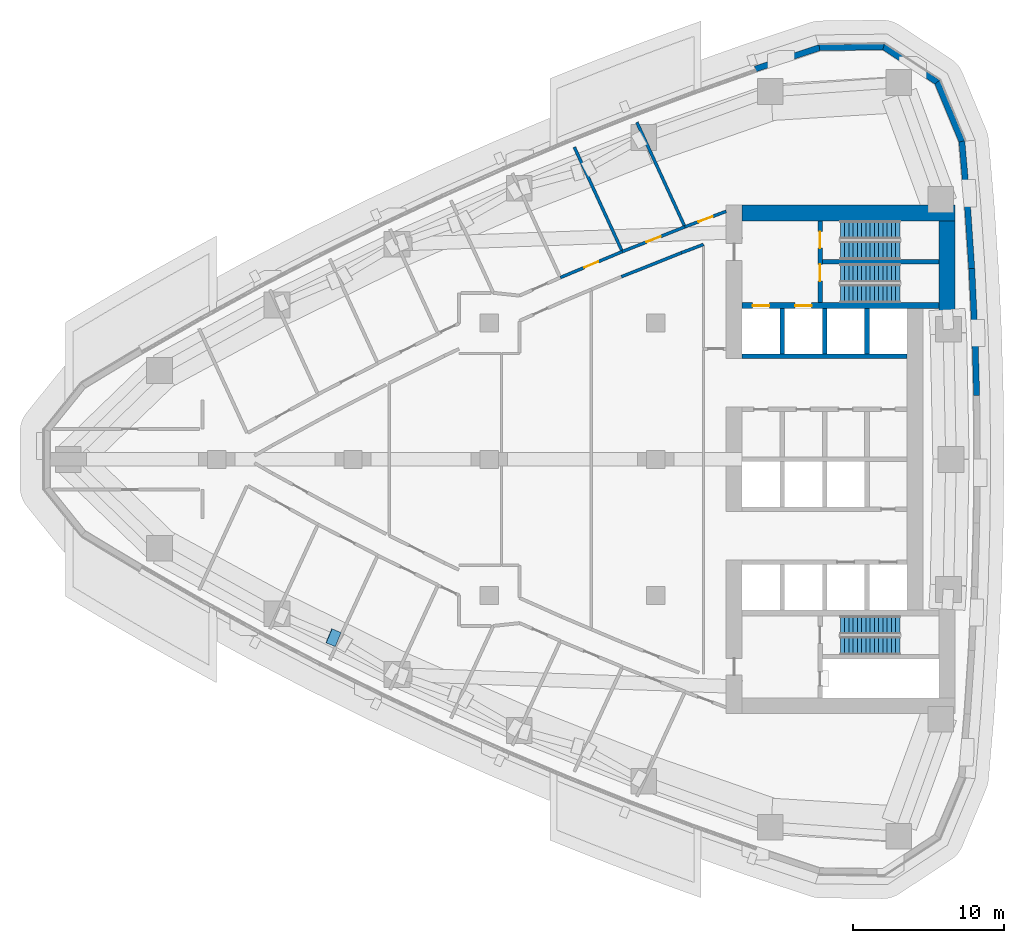
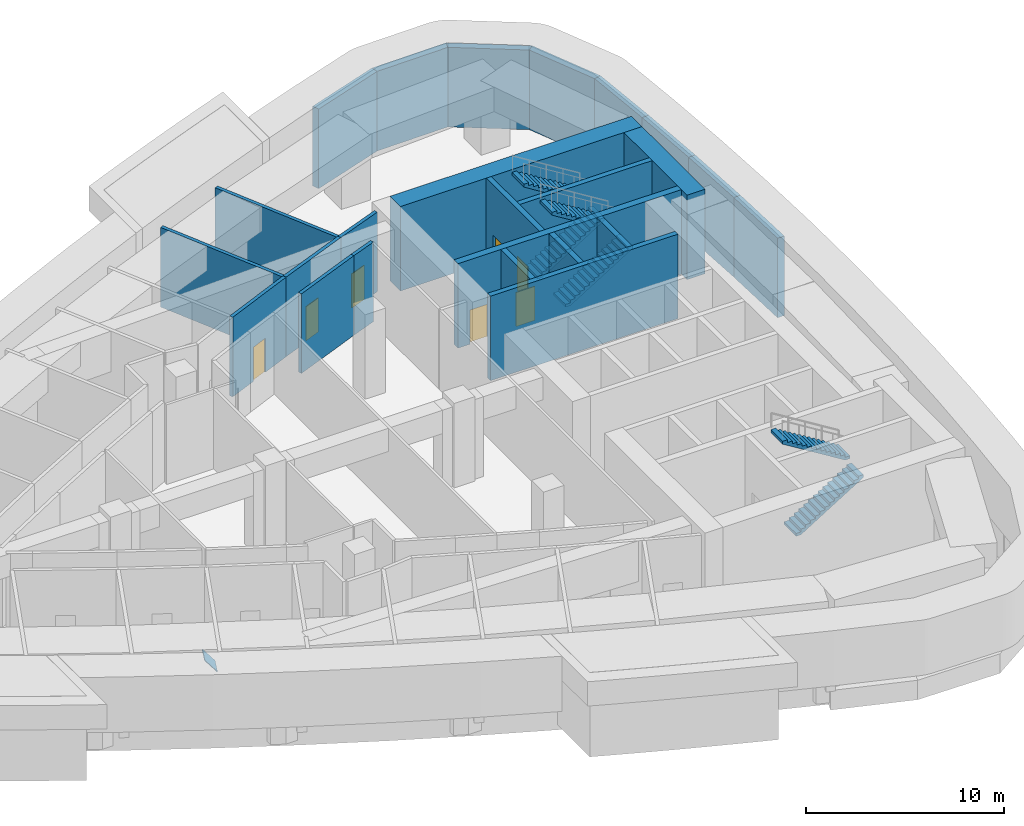
# One storey, part 13 of 19: 24 walls, 7 doors, 6 stair flights, 1 discrete accessory, 7 openings, 3 elements without a shape of their own.
"""IFC4 building model written with IfcOpenShell, lengths in metres."""

from ifc_helpers import new_model, si_unit, direction, frame, frame_2d, origin, origin_2d, place, context, subcontext, project, spatial, polyline, rectangle, outline, extrude, material, layer, layer_set, material_profile, profile_set, type_object, element, fill, aggregate, save


model = new_model("IFC4")

# Units and contexts
model_context = context("Model", 3, precision=1e-05, world=origin(), true_north=direction((0.0, 1.0)))
body_context = subcontext(model_context, "Body", "Model", "MODEL_VIEW")
ifc_project = project(units=[si_unit("LENGTHUNIT", "METRE"), si_unit("AREAUNIT", "SQUARE_METRE"), si_unit("VOLUMEUNIT", "CUBIC_METRE"), si_unit("PLANEANGLEUNIT", "RADIAN"), si_unit("MASSUNIT", "GRAM", prefix="KILO")], contexts=[model_context])

# Site, building, storey
site_placement = place(None, origin())
site = spatial("IfcSite", under=ifc_project, at=site_placement, CompositionType="ELEMENT")
building_placement = place(site_placement, origin())
building = spatial("IfcBuilding", under=site, at=building_placement, Name="Ostrand Prow Hotel Tower", CompositionType="ELEMENT")
storey_placement = place(building_placement, frame((0.0, 0.0, 120.39990234375)))
storey = spatial("IfcBuildingStorey", under=building, at=storey_placement, Name="L29", CompositionType="ELEMENT", Elevation=120.39990234375)

# Walls
ifc_material_1 = material(Name="Concrete C80/95", Category="concrete")
ifc_layer_1 = layer(ifc_material_1, 1.050048828125)
ifc_layer_set_1 = layer_set([ifc_layer_1], Name="Concrete C80/95")
wall_type_1 = type_object("IfcWallType", Name="Core wall 1050 C80/95", PredefinedType="SHEAR", material=ifc_layer_set_1)
wall_1_placement = place(storey_placement, frame((50.699951171875, 16.27490234375, 0.0), z_axis=(0.0, 0.0, 1.0), x_axis=(1.0, 0.0, 0.0)))
element("IfcWall", 1, at=wall_1_placement, inside=storey, type_object=wall_type_1, Name="Core wall CW-N", PredefinedType="SHEAR", context=body_context, shape_type="SweptSolid", body=[
    extrude(rectangle(XDim=14.070068359375, YDim=1.050048828125, at=frame_2d((7.03515625, 0.0))), origin(), (0.0, 0.0, 1.0), 5.2001953125),
])
wall_2_placement = place(storey_placement, frame((64.2451171875, 9.388671875, 0.0), z_axis=(0.0, 0.0, 1.0), x_axis=(0.0, 1.0, 0.0)))
element("IfcWall", 2, at=wall_2_placement, inside=storey, type_object=wall_type_1, Name="Core wall CW-E-N", PredefinedType="SHEAR", context=body_context, shape_type="SweptSolid", body=[
    extrude(rectangle(XDim=6.361328125, YDim=1.050048828125, at=frame_2d((3.1806640625, 0.0))), origin(), (0.0, 0.0, 1.0), 5.2001953125),
])
ifc_material_2 = material(Name="Concrete C80/95", Category="concrete")
ifc_layer_2 = layer(ifc_material_2, 0.300048828125)
ifc_layer_set_2 = layer_set([ifc_layer_2], Name="Concrete C80/95")
wall_type_2 = type_object("IfcWallType", Name="Core wall 300 C80/95", PredefinedType="SHEAR", material=ifc_layer_set_2)
wall_3_placement = place(storey_placement, frame((50.699951171875, 6.800048828125, 0.0), z_axis=(0.0, 0.0, 1.0), x_axis=(1.0, 0.0, 0.0)))
element("IfcWall", 3, at=wall_3_placement, inside=storey, type_object=wall_type_2, Name="Core wall PW-L2-N", PredefinedType="SHEAR", context=body_context, shape_type="SweptSolid", body=[
    extrude(rectangle(XDim=10.900146484375, YDim=0.300048828125, at=frame_2d((5.4501953125, 0.0))), origin(), (0.0, 0.0, 1.0), 5.2001953125),
])
for number, where, z_axis, x_axis, name in (
    (4, (53.35009765625, 6.949951171875, 0.0), (0.0, 0.0, 1.0), (0.0, 1.0, 0.0), "Core wall PW-R1-NA"),
    (5, (56.14990234375, 6.949951171875, 0.0), (0.0, 0.0, 1.0), (0.0, 1.0, 0.0), "Core wall PW-R2-NA"),
    (6, (58.949951171875, 6.949951171875, 0.0), (0.0, 0.0, 1.0), (0.0, 1.0, 0.0), "Core wall PW-R3-NA"),
):
    element("IfcWall", number, at=place(storey_placement, frame(where, z_axis=z_axis, x_axis=x_axis)), inside=storey, type_object=wall_type_2, Name=name, PredefinedType="SHEAR", context=body_context, shape_type="SweptSolid", body=[
        extrude(rectangle(XDim=3.0, YDim=0.300048828125, at=frame_2d((1.5, 0.0))), origin(), (0.0, 0.0, 1.0), 5.2001953125),
    ])

# Wall, openings, doors
wall_4_placement = place(storey_placement, frame((55.85009765625, 10.35009765625, 0.0), z_axis=(0.0, 0.0, 1.0), x_axis=(0.0, 1.0, 0.0)))
wall_4 = element("IfcWall", 7, at=wall_4_placement, inside=storey, type_object=wall_type_2, Name="Core wall PW-VN", PredefinedType="SHEAR", context=body_context, shape_type="SweptSolid", body=[
    extrude(rectangle(XDim=5.39990234375, YDim=0.300048828125, at=frame_2d((2.699951171875, 0.0))), origin(), (0.0, 0.0, 1.0), 5.2001953125),
])
opening_1_placement = place(wall_4_placement, frame((1.429931640625, 0.0, 0.0)))
opening_1 = element("IfcOpeningElement", 8, at=opening_1_placement, cuts=wall_4, Name="Opening FD1", PredefinedType="OPENING", context=body_context, shape_type="SweptSolid", body=[
    extrude(rectangle(XDim=1.10009765625, YDim=2.10009765625, at=frame_2d((0.550048828125, 1.050048828125))), frame((0.0, 0.159912109375, 0.0), z_axis=(0.0, -1.0, 0.0), x_axis=(1.0, 0.0, 0.0)), (0.0, 0.0, 1.0), 0.320068359375),
])
opening_2_placement = place(wall_4_placement, frame((3.60009765625, 0.0, 0.0)))
opening_2 = element("IfcOpeningElement", 9, at=opening_2_placement, cuts=wall_4, Name="Opening FD1", PredefinedType="OPENING", context=body_context, shape_type="SweptSolid", body=[
    extrude(rectangle(XDim=1.10009765625, YDim=2.10009765625, at=frame_2d((0.550048828125, 1.050048828125))), frame((0.0, 0.159912109375, 0.0), z_axis=(0.0, -1.0, 0.0), x_axis=(1.0, 0.0, 0.0)), (0.0, 0.0, 1.0), 0.320068359375),
])
ifc_material_3 = material(Name="Steel fire door", Category="steel")
door_type_1 = type_object("IfcDoorType", Name="Fire door 1100 EI120", OperationType="SINGLE_SWING_RIGHT", PredefinedType="DOOR", material=ifc_material_3)
door_1_placement = place(opening_1_placement, origin())
door_1 = element("IfcDoor", 10, at=door_1_placement, inside=storey, type_object=door_type_1, Name="FIRE DOOR", OperationType="SINGLE_SWING_RIGHT", OverallHeight=2.10009765625, OverallWidth=1.10009765625, PredefinedType="DOOR", context=body_context, shape_type="SweptSolid", body=[
    extrude(rectangle(XDim=1.10009765625, YDim=2.10009765625, at=frame_2d((0.550048828125, 1.050048828125))), frame((0.0, 0.02490234375, 0.0), z_axis=(0.0, -1.0, 0.0), x_axis=(1.0, 0.0, 0.0)), (0.0, 0.0, 1.0), 0.050048828125),
])
fill(opening_1, door_1)
door_2_placement = place(opening_2_placement, origin())
door_2 = element("IfcDoor", 11, at=door_2_placement, inside=storey, type_object=door_type_1, Name="FIRE DOOR", OperationType="SINGLE_SWING_RIGHT", OverallHeight=2.10009765625, OverallWidth=1.10009765625, PredefinedType="DOOR", context=body_context, shape_type="SweptSolid", body=[
    extrude(rectangle(XDim=1.10009765625, YDim=2.10009765625, at=frame_2d((0.550048828125, 1.050048828125))), frame((0.0, 0.02490234375, 0.0), z_axis=(0.0, -1.0, 0.0), x_axis=(1.0, 0.0, 0.0)), (0.0, 0.0, 1.0), 0.050048828125),
])
fill(opening_2, door_2)

# Wall
wall_5_placement = place(storey_placement, frame((56.0, 13.050048828125, 0.0), z_axis=(0.0, 0.0, 1.0), x_axis=(1.0, 0.0, 0.0)))
element("IfcWall", 12, at=wall_5_placement, inside=storey, type_object=wall_type_2, Name="Core wall PW-ST13", PredefinedType="SHEAR", context=body_context, shape_type="SweptSolid", body=[
    extrude(rectangle(XDim=7.719970703125, YDim=0.300048828125, at=frame_2d((3.85986328125, 0.0))), origin(), (0.0, 0.0, 1.0), 5.2001953125),
])

# Wall, openings, doors
ifc_material_4 = material(Name="Concrete C80/95", Category="concrete")
ifc_layer_3 = layer(ifc_material_4, 0.39990234375)
ifc_layer_set_3 = layer_set([ifc_layer_3], Name="Concrete C80/95")
wall_type_3 = type_object("IfcWallType", Name="Core wall 400 C80/95", PredefinedType="SHEAR", material=ifc_layer_set_3)
wall_6_placement = place(storey_placement, frame((50.699951171875, 10.14990234375, 0.0), z_axis=(0.0, 0.0, 1.0), x_axis=(1.0, 0.0, 0.0)))
wall_6 = element("IfcWall", 13, at=wall_6_placement, inside=storey, type_object=wall_type_3, Name="Core wall PW-BN", PredefinedType="SHEAR", context=body_context, shape_type="SweptSolid", body=[
    extrude(rectangle(XDim=13.02001953125, YDim=0.39990234375, at=frame_2d((6.510009765625, 0.0))), origin(), (0.0, 0.0, 1.0), 5.2001953125),
])
opening_3_placement = place(wall_6_placement, frame((0.699951171875, 0.0, 0.0)))
opening_3 = element("IfcOpeningElement", 14, at=opening_3_placement, cuts=wall_6, Name="Opening LD", PredefinedType="OPENING", context=body_context, shape_type="SweptSolid", body=[
    extrude(rectangle(XDim=1.10009765625, YDim=2.10009765625, at=frame_2d((0.550048828125, 1.050048828125))), frame((0.0, 0.2099609375, 0.0), z_axis=(0.0, -1.0, 0.0), x_axis=(1.0, 0.0, 0.0)), (0.0, 0.0, 1.0), 0.419921875),
])
opening_4_placement = place(wall_6_placement, frame((3.5, 0.0, 0.0)))
opening_4 = element("IfcOpeningElement", 15, at=opening_4_placement, cuts=wall_6, Name="Opening LD", PredefinedType="OPENING", context=body_context, shape_type="SweptSolid", body=[
    extrude(rectangle(XDim=1.10009765625, YDim=2.10009765625, at=frame_2d((0.550048828125, 1.050048828125))), frame((0.0, 0.2099609375, 0.0), z_axis=(0.0, -1.0, 0.0), x_axis=(1.0, 0.0, 0.0)), (0.0, 0.0, 1.0), 0.419921875),
])
ifc_material_5 = material(Name="Stainless steel door", Category="steel")
door_type_2 = type_object("IfcDoorType", Name="Lift landing door 1100", OperationType="DOUBLE_DOOR_SLIDING", PredefinedType="DOOR", material=ifc_material_5)
door_3_placement = place(opening_3_placement, origin())
door_3 = element("IfcDoor", 16, at=door_3_placement, inside=storey, type_object=door_type_2, Name="LIFT LANDING DOOR", OperationType="DOUBLE_DOOR_SLIDING", OverallHeight=2.10009765625, OverallWidth=1.10009765625, PredefinedType="DOOR", context=body_context, shape_type="SweptSolid", body=[
    extrude(rectangle(XDim=1.10009765625, YDim=2.10009765625, at=frame_2d((0.550048828125, 1.050048828125))), frame((0.0, 0.02490234375, 0.0), z_axis=(0.0, -1.0, 0.0), x_axis=(1.0, 0.0, 0.0)), (0.0, 0.0, 1.0), 0.050048828125),
])
fill(opening_3, door_3)
door_4_placement = place(opening_4_placement, origin())
door_4 = element("IfcDoor", 17, at=door_4_placement, inside=storey, type_object=door_type_2, Name="LIFT LANDING DOOR", OperationType="DOUBLE_DOOR_SLIDING", OverallHeight=2.10009765625, OverallWidth=1.10009765625, PredefinedType="DOOR", context=body_context, shape_type="SweptSolid", body=[
    extrude(rectangle(XDim=1.10009765625, YDim=2.10009765625, at=frame_2d((0.550048828125, 1.050048828125))), frame((0.0, 0.02490234375, 0.0), z_axis=(0.0, -1.0, 0.0), x_axis=(1.0, 0.0, 0.0)), (0.0, 0.0, 1.0), 0.050048828125),
])
fill(opening_4, door_4)

# Wall, opening, door
ifc_material_6 = material(Name="Plasterboard partition")
ifc_layer_4 = layer(ifc_material_6, 0.199951171875)
ifc_layer_set_4 = layer_set([ifc_layer_4], Name="Plasterboard partition")
wall_type_4 = type_object("IfcWallType", Name="Partition 200 corridor wall", PredefinedType="PARTITIONING", material=ifc_layer_set_4)
wall_7_placement = place(storey_placement, frame((42.791015625, 13.7236328125, 0.0), z_axis=(0.0, 0.0, 1.0), x_axis=(-0.922230433067, -0.386640696675, 0.0)))
wall_7 = element("IfcWall", 18, at=wall_7_placement, inside=storey, type_object=wall_type_4, Name="CORRIDOR WALL", PredefinedType="PARTITIONING", context=body_context, shape_type="SweptSolid", body=[
    extrude(rectangle(XDim=4.440185546875, YDim=0.199951171875, at=frame_2d((2.22021484375, 0.0))), origin(), (0.0, 0.0, 1.0), 4.900146484375),
])
opening_5_placement = place(wall_7_placement, frame((1.72021484375, 0.0, 0.0)))
opening_5 = element("IfcOpeningElement", 19, at=opening_5_placement, cuts=wall_7, Name="Opening D1R", PredefinedType="OPENING", context=body_context, shape_type="SweptSolid", body=[
    extrude(rectangle(XDim=1.0, YDim=2.10009765625, at=frame_2d((0.5, 1.050048828125))), frame((0.0, 0.10986328125, 0.0), z_axis=(0.0, -1.0, 0.0), x_axis=(1.0, 0.0, 0.0)), (0.0, 0.0, 1.0), 0.219970703125),
])
ifc_material_7 = material(Name="Timber door leaf", Category="wood")
door_type_3 = type_object("IfcDoorType", Name="Guest room door 1000 right", OperationType="SINGLE_SWING_RIGHT", PredefinedType="DOOR", material=ifc_material_7)
door_5_placement = place(opening_5_placement, origin())
door_5 = element("IfcDoor", 20, at=door_5_placement, inside=storey, type_object=door_type_3, Name="DOOR", OperationType="SINGLE_SWING_RIGHT", OverallHeight=2.10009765625, OverallWidth=1.0, PredefinedType="DOOR", context=body_context, shape_type="SweptSolid", body=[
    extrude(rectangle(XDim=1.0, YDim=2.10009765625, at=frame_2d((0.5, 1.050048828125))), frame((0.0, 0.02490234375, 0.0), z_axis=(0.0, -1.0, 0.0), x_axis=(1.0, 0.0, 0.0)), (0.0, 0.0, 1.0), 0.050048828125),
])
fill(opening_5, door_5)

wall_8_placement = place(storey_placement, frame((46.92431640625, 15.356689453125, 0.0), z_axis=(0.0, 0.0, 1.0), x_axis=(-0.930040633249, -0.367456692014, 0.0)))
wall_8 = element("IfcWall", 21, at=wall_8_placement, inside=storey, type_object=wall_type_4, Name="CORRIDOR WALL", PredefinedType="PARTITIONING", context=body_context, shape_type="SweptSolid", body=[
    extrude(rectangle(XDim=4.4443359375, YDim=0.199951171875, at=frame_2d((2.22216796875, 0.0))), origin(), (0.0, 0.0, 1.0), 4.900146484375),
])
opening_6_placement = place(wall_8_placement, frame((1.72216796875, 0.0, 0.0)))
opening_6 = element("IfcOpeningElement", 22, at=opening_6_placement, cuts=wall_8, Name="Opening D1", PredefinedType="OPENING", context=body_context, shape_type="SweptSolid", body=[
    extrude(rectangle(XDim=1.0, YDim=2.10009765625, at=frame_2d((0.5, 1.050048828125))), frame((0.0, 0.10986328125, 0.0), z_axis=(0.0, -1.0, 0.0), x_axis=(1.0, 0.0, 0.0)), (0.0, 0.0, 1.0), 0.219970703125),
])
ifc_material_8 = material(Name="Timber door leaf", Category="wood")
door_type_4 = type_object("IfcDoorType", Name="Guest room door 1000", OperationType="SINGLE_SWING_LEFT", PredefinedType="DOOR", material=ifc_material_8)
door_6_placement = place(opening_6_placement, origin())
door_6 = element("IfcDoor", 23, at=door_6_placement, inside=storey, type_object=door_type_4, Name="DOOR", OperationType="SINGLE_SWING_LEFT", OverallHeight=2.10009765625, OverallWidth=1.0, PredefinedType="DOOR", context=body_context, shape_type="SweptSolid", body=[
    extrude(rectangle(XDim=1.0, YDim=2.10009765625, at=frame_2d((0.5, 1.050048828125))), frame((0.0, 0.02490234375, 0.0), z_axis=(0.0, -1.0, 0.0), x_axis=(1.0, 0.0, 0.0)), (0.0, 0.0, 1.0), 0.050048828125),
])
fill(opening_6, door_6)

wall_9_placement = place(storey_placement, frame((49.64990234375, 16.3828125, 0.0), z_axis=(0.0, 0.0, 1.0), x_axis=(-0.935873645433, -0.352335805424, 0.0)))
wall_9 = element("IfcWall", 24, at=wall_9_placement, inside=storey, type_object=wall_type_4, Name="CORRIDOR WALL", PredefinedType="PARTITIONING", context=body_context, shape_type="SweptSolid", body=[
    extrude(rectangle(XDim=2.912353515625, YDim=0.199951171875, at=frame_2d((1.4560546875, 0.0))), origin(), (0.0, 0.0, 1.0), 4.900146484375),
])
opening_7_placement = place(wall_9_placement, frame((0.956298828125, 0.0, 0.0)))
opening_7 = element("IfcOpeningElement", 25, at=opening_7_placement, cuts=wall_9, Name="Opening D1R", PredefinedType="OPENING", context=body_context, shape_type="SweptSolid", body=[
    extrude(rectangle(XDim=1.0, YDim=2.10009765625, at=frame_2d((0.5, 1.050048828125))), frame((0.0, 0.10986328125, 0.0), z_axis=(0.0, -1.0, 0.0), x_axis=(1.0, 0.0, 0.0)), (0.0, 0.0, 1.0), 0.219970703125),
])
door_7_placement = place(opening_7_placement, origin())
door_7 = element("IfcDoor", 26, at=door_7_placement, inside=storey, type_object=door_type_3, Name="DOOR", OperationType="SINGLE_SWING_RIGHT", OverallHeight=2.10009765625, OverallWidth=1.0, PredefinedType="DOOR", context=body_context, shape_type="SweptSolid", body=[
    extrude(rectangle(XDim=1.0, YDim=2.10009765625, at=frame_2d((0.5, 1.050048828125))), frame((0.0, 0.02490234375, 0.0), z_axis=(0.0, -1.0, 0.0), x_axis=(1.0, 0.0, 0.0)), (0.0, 0.0, 1.0), 0.050048828125),
])
fill(opening_7, door_7)

# Walls
wall_10_placement = place(storey_placement, frame((42.727783203125, 12.0615234375, 0.0), z_axis=(0.0, 0.0, 1.0), x_axis=(0.928638161177, 0.370986745864, 0.0)))
element("IfcWall", 27, at=wall_10_placement, inside=storey, type_object=wall_type_4, Name="CORRIDOR WALL", PredefinedType="PARTITIONING", context=body_context, shape_type="SweptSolid", body=[
    extrude(rectangle(XDim=4.27294921875, YDim=0.199951171875, at=frame_2d((2.136474609375, 0.0))), origin(), (0.0, 0.0, 1.0), 4.900146484375),
])
wall_11_placement = place(storey_placement, frame((46.69580078125, 13.646728515625, 0.0), z_axis=(0.0, 0.0, 1.0), x_axis=(0.935889331534, 0.352294137223, 0.0)))
element("IfcWall", 28, at=wall_11_placement, inside=storey, type_object=wall_type_4, Name="CORRIDOR WALL", PredefinedType="PARTITIONING", context=body_context, shape_type="SweptSolid", body=[
    extrude(rectangle(XDim=1.5537109375, YDim=0.199951171875, at=frame_2d((0.77685546875, 0.0))), origin(), (0.0, 0.0, 1.0), 4.900146484375),
])
ifc_material_9 = material(Name="Plasterboard partition")
ifc_layer_5 = layer(ifc_material_9, 0.199951171875)
ifc_layer_set_5 = layer_set([ifc_layer_5], Name="Plasterboard partition")
wall_type_5 = type_object("IfcWallType", Name="Partition 200 key partition", PredefinedType="PARTITIONING", material=ifc_layer_set_5)
wall_12_placement = place(storey_placement, frame((42.79931640625, 13.705322265625, 0.0), z_axis=(0.0, 0.0, 1.0), x_axis=(-0.417427858403, 0.908710065438, 0.0)))
element("IfcWall", 29, at=wall_12_placement, inside=storey, type_object=wall_type_5, Name="KEY PARTITION", PredefinedType="PARTITIONING", context=body_context, shape_type="SweptSolid", body=[
    extrude(rectangle(XDim=7.609619140625, YDim=0.199951171875, at=frame_2d((3.8046875, 0.0))), origin(), (0.0, 0.0, 1.0), 4.900146484375),
])
wall_13_placement = place(storey_placement, frame((46.9326171875, 15.338623046875, 0.0), z_axis=(0.0, 0.0, 1.0), x_axis=(-0.417437957167, 0.908705426371, 0.0)))
element("IfcWall", 30, at=wall_13_placement, inside=storey, type_object=wall_type_5, Name="KEY PARTITION", PredefinedType="PARTITIONING", context=body_context, shape_type="SweptSolid", body=[
    extrude(rectangle(XDim=7.618896484375, YDim=0.199951171875, at=frame_2d((3.8095703125, 0.0))), origin(), (0.0, 0.0, 1.0), 4.900146484375),
])
ifc_material_10 = material(Name="Precast concrete C40/50", Category="concrete")
ifc_layer_6 = layer(ifc_material_10, 0.39990234375)
ifc_layer_set_6 = layer_set([ifc_layer_6], Name="Precast concrete C40/50")
wall_type_6 = type_object("IfcWallType", Name="Stone-faced precast wall 400 mm", PredefinedType="NOTDEFINED", material=ifc_layer_set_6)
for number, where, z_axis, x_axis, name in (
    (31, (66.193603515625, 4.20654296875, 0.0), (0.0, 0.0, 1.0), (-0.02901703777, 0.999578917104, 0.0), "Stone-faced wall back 11"),
    (32, (66.071533203125, 8.41162109375, 0.0), (0.0, 0.0, 1.0), (-0.048342691508, 0.998830808585, 0.0), "Stone-faced wall back 12"),
):
    element("IfcWall", number, at=place(storey_placement, frame(where, z_axis=z_axis, x_axis=x_axis)), inside=storey, type_object=wall_type_6, Name=name, PredefinedType="NOTDEFINED", context=body_context, shape_type="SweptSolid", body=[
        extrude(outline(polyline([(-0.001953125, -0.199951171875), (4.208740234375, -0.199951171875), (4.204833984375, 0.199951171875), (0.001953125, 0.199951171875), (-0.001953125, -0.199951171875)])), origin(), (0.0, 0.0, 1.0), 4.900146484375),
    ])
wall_14_placement = place(storey_placement, frame((65.8681640625, 12.613525390625, 0.0), z_axis=(0.0, 0.0, 1.0), x_axis=(-0.067724559895, 0.997704056315, 0.0)))
element("IfcWall", 33, at=wall_14_placement, inside=storey, type_object=wall_type_6, Name="Stone-faced wall back 13", PredefinedType="NOTDEFINED", context=body_context, shape_type="SweptSolid", body=[
    extrude(outline(polyline([(-0.001953125, -0.199951171875), (4.208984375, -0.199951171875), (4.205078125, 0.199951171875), (0.001953125, 0.199951171875), (-0.001953125, -0.199951171875)])), origin(), (0.0, 0.0, 1.0), 4.900146484375),
])
wall_15_placement = place(storey_placement, frame((65.583251953125, 16.810791015625, 0.0), z_axis=(0.0, 0.0, 1.0), x_axis=(-0.086992730434, 0.996208946382, 0.0)))
element("IfcWall", 34, at=wall_15_placement, inside=storey, type_object=wall_type_6, Name="Stone-faced wall back 14", PredefinedType="NOTDEFINED", context=body_context, shape_type="SweptSolid", body=[
    extrude(outline(polyline([(-0.001953125, -0.199951171875), (4.23779296875, -0.199951171875), (4.17578125, 0.199951171875), (0.001953125, 0.199951171875), (-0.001953125, -0.199951171875)])), origin(), (0.0, 0.0, 1.0), 4.900146484375),
])
wall_16_placement = place(storey_placement, frame((65.21728515625, 21.001708984375, 0.0), z_axis=(0.0, 0.0, 1.0), x_axis=(-0.383997751971, 0.923334027577, 0.0)))
element("IfcWall", 35, at=wall_16_placement, inside=storey, type_object=wall_type_6, Name="Stone-faced wall back 15", PredefinedType="NOTDEFINED", context=body_context, shape_type="SweptSolid", body=[
    extrude(outline(polyline([(-0.031005859375, -0.199951171875), (4.300048828125, -0.199951171875), (4.177490234375, 0.199951171875), (0.031005859375, 0.199951171875), (-0.031005859375, -0.199951171875)])), origin(), (0.0, 0.0, 1.0), 4.900146484375),
])
wall_17_placement = place(storey_placement, frame((63.589599609375, 24.91552734375, 0.0), z_axis=(0.0, 0.0, 1.0), x_axis=(-0.835340523653, 0.549732852887, 0.0)))
element("IfcWall", 36, at=wall_17_placement, inside=storey, type_object=wall_type_6, Name="Stone-faced wall back 16", PredefinedType="NOTDEFINED", context=body_context, shape_type="SweptSolid", body=[
    extrude(outline(polyline([(-0.061279296875, -0.199951171875), (4.30029296875, -0.199951171875), (4.177734375, 0.199951171875), (0.061279296875, 0.199951171875), (-0.061279296875, -0.199951171875)])), origin(), (0.0, 0.0, 1.0), 4.900146484375),
])
wall_18_placement = place(storey_placement, frame((60.048583984375, 27.245849609375, 0.0), z_axis=(0.0, 0.0, 1.0), x_axis=(-0.999919718849, -0.012671063772, 0.0)))
element("IfcWall", 37, at=wall_18_placement, inside=storey, type_object=wall_type_6, Name="Stone-faced wall back 17", PredefinedType="NOTDEFINED", context=body_context, shape_type="SweptSolid", body=[
    extrude(outline(polyline([(-0.061279296875, -0.199951171875), (4.269775390625, -0.199951171875), (4.207763671875, 0.199951171875), (0.061279296875, 0.199951171875), (-0.061279296875, -0.199951171875)])), origin(), (0.0, 0.0, 1.0), 4.900146484375),
])
wall_19_placement = place(storey_placement, frame((55.81005859375, 27.192138671875, 0.0), z_axis=(0.0, 0.0, 1.0), x_axis=(-0.94925004851, -0.314522408429, 0.0)))
element("IfcWall", 38, at=wall_19_placement, inside=storey, type_object=wall_type_6, Name="Stone-faced wall back 18", PredefinedType="NOTDEFINED", context=body_context, shape_type="SweptSolid", body=[
    extrude(outline(polyline([(-0.031005859375, -0.199951171875), (4.468017578125, -0.199951171875), (4.468017578125, 0.199951171875), (0.031005859375, 0.199951171875), (-0.031005859375, -0.199951171875)])), origin(), (0.0, 0.0, 1.0), 4.900146484375),
])

# Stair, stair flights
ifc_material_11 = material(Name="Concrete C40/50", Category="concrete")
stair_type = type_object("IfcStairType", Name="Exit stair 1200 upper zone", PredefinedType="HALF_TURN_STAIR", material=ifc_material_11)
stair_1_placement = place(storey_placement, origin())
stair_1 = element("IfcStair", 39, at=stair_1_placement, inside=storey, type_object=stair_type, Name="L29 ST1C", PredefinedType="HALF_TURN_STAIR")
ifc_material_12 = material(Name="Concrete C40/50", Category="concrete")
stair_flight_type = type_object("IfcStairFlightType", Name="Stair flight 1200 concrete", PredefinedType="STRAIGHT", material=ifc_material_12)
stair_flight_1_placement = place(storey_placement, frame((57.199951171875, 10.949951171875, 0.0), z_axis=(0.0, 0.0, 1.0), x_axis=(1.0, 0.0, 0.0)))
stair_flight_1 = element("IfcStairFlight", 40, at=stair_flight_1_placement, type_object=stair_flight_type, Name="ST1C flight 1", NumberOfRisers=15, NumberOfTreads=14, PredefinedType="STRAIGHT", RiserHeight=0.173333333, TreadLength=0.28, context=body_context, shape_type="SweptSolid", body=[
    extrude(outline(polyline([(0.0, 0.0), (0.0, 0.17333984375), (0.280029296875, 0.17333984375), (0.280029296875, 0.3466796875), (0.56005859375, 0.3466796875), (0.56005859375, 0.52001953125), (0.840087890625, 0.52001953125), (0.840087890625, 0.693359375), (1.1201171875, 0.693359375), (1.1201171875, 0.86669921875), (1.39990234375, 0.86669921875), (1.39990234375, 1.0400390625), (1.679931640625, 1.0400390625), (1.679931640625, 1.21337890625), (1.9599609375, 1.21337890625), (1.9599609375, 1.38671875), (2.239990234375, 1.38671875), (2.239990234375, 1.56005859375), (2.52001953125, 1.56005859375), (2.52001953125, 1.7333984375), (2.800048828125, 1.7333984375), (2.800048828125, 1.90673828125), (3.080078125, 1.90673828125), (3.080078125, 2.080078125), (3.360107421875, 2.080078125), (3.360107421875, 2.25341796875), (3.639892578125, 2.25341796875), (3.639892578125, 2.4267578125), (3.919921875, 2.4267578125), (3.919921875, 2.60009765625), (3.919921875, 2.250244140625), (0.284912109375, 0.0), (0.0, 0.0)])), frame((0.0, 0.60009765625, 0.0), z_axis=(0.0, -1.0, 0.0), x_axis=(1.0, 0.0, 0.0)), (0.0, 0.0, 1.0), 1.199951171875),
])
stair_flight_2_placement = place(storey_placement, frame((61.1201171875, 12.300048828125, 2.60009765625), z_axis=(0.0, 0.0, 1.0), x_axis=(-1.0, 0.0, 0.0)))
stair_flight_2 = element("IfcStairFlight", 41, at=stair_flight_2_placement, type_object=stair_flight_type, Name="ST1C flight 2", NumberOfRisers=15, NumberOfTreads=14, PredefinedType="STRAIGHT", RiserHeight=0.173333333, TreadLength=0.28, context=body_context, shape_type="SweptSolid", body=[
    extrude(outline(polyline([(0.0, 0.0), (0.0, 0.17333984375), (0.280029296875, 0.17333984375), (0.280029296875, 0.3466796875), (0.56005859375, 0.3466796875), (0.56005859375, 0.52001953125), (0.840087890625, 0.52001953125), (0.840087890625, 0.693359375), (1.1201171875, 0.693359375), (1.1201171875, 0.86669921875), (1.39990234375, 0.86669921875), (1.39990234375, 1.0400390625), (1.679931640625, 1.0400390625), (1.679931640625, 1.21337890625), (1.9599609375, 1.21337890625), (1.9599609375, 1.38671875), (2.239990234375, 1.38671875), (2.239990234375, 1.56005859375), (2.52001953125, 1.56005859375), (2.52001953125, 1.7333984375), (2.800048828125, 1.7333984375), (2.800048828125, 1.90673828125), (3.080078125, 1.90673828125), (3.080078125, 2.080078125), (3.360107421875, 2.080078125), (3.360107421875, 2.25341796875), (3.639892578125, 2.25341796875), (3.639892578125, 2.4267578125), (3.919921875, 2.4267578125), (3.919921875, 2.60009765625), (3.919921875, 2.250244140625), (0.284912109375, 0.0), (0.0, 0.0)])), frame((0.0, 0.60009765625, 0.0), z_axis=(0.0, -1.0, 0.0), x_axis=(1.0, 0.0, 0.0)), (0.0, 0.0, 1.0), 1.199951171875),
])
aggregate(stair_1, [stair_flight_1, stair_flight_2])

stair_2_placement = place(storey_placement, origin())
stair_2 = element("IfcStair", 42, at=stair_2_placement, inside=storey, type_object=stair_type, Name="L29 ST3C", PredefinedType="HALF_TURN_STAIR")
stair_flight_3_placement = place(storey_placement, frame((57.199951171875, 13.800048828125, 0.0), z_axis=(0.0, 0.0, 1.0), x_axis=(1.0, 0.0, 0.0)))
stair_flight_3 = element("IfcStairFlight", 43, at=stair_flight_3_placement, type_object=stair_flight_type, Name="ST3C flight 1", NumberOfRisers=15, NumberOfTreads=14, PredefinedType="STRAIGHT", RiserHeight=0.173333333, TreadLength=0.28, context=body_context, shape_type="SweptSolid", body=[
    extrude(outline(polyline([(0.0, 0.0), (0.0, 0.17333984375), (0.280029296875, 0.17333984375), (0.280029296875, 0.3466796875), (0.56005859375, 0.3466796875), (0.56005859375, 0.52001953125), (0.840087890625, 0.52001953125), (0.840087890625, 0.693359375), (1.1201171875, 0.693359375), (1.1201171875, 0.86669921875), (1.39990234375, 0.86669921875), (1.39990234375, 1.0400390625), (1.679931640625, 1.0400390625), (1.679931640625, 1.21337890625), (1.9599609375, 1.21337890625), (1.9599609375, 1.38671875), (2.239990234375, 1.38671875), (2.239990234375, 1.56005859375), (2.52001953125, 1.56005859375), (2.52001953125, 1.7333984375), (2.800048828125, 1.7333984375), (2.800048828125, 1.90673828125), (3.080078125, 1.90673828125), (3.080078125, 2.080078125), (3.360107421875, 2.080078125), (3.360107421875, 2.25341796875), (3.639892578125, 2.25341796875), (3.639892578125, 2.4267578125), (3.919921875, 2.4267578125), (3.919921875, 2.60009765625), (3.919921875, 2.250244140625), (0.284912109375, 0.0), (0.0, 0.0)])), frame((0.0, 0.60009765625, 0.0), z_axis=(0.0, -1.0, 0.0), x_axis=(1.0, 0.0, 0.0)), (0.0, 0.0, 1.0), 1.199951171875),
])
stair_flight_4_placement = place(storey_placement, frame((61.1201171875, 15.14990234375, 2.60009765625), z_axis=(0.0, 0.0, 1.0), x_axis=(-1.0, 0.0, 0.0)))
stair_flight_4 = element("IfcStairFlight", 44, at=stair_flight_4_placement, type_object=stair_flight_type, Name="ST3C flight 2", NumberOfRisers=15, NumberOfTreads=14, PredefinedType="STRAIGHT", RiserHeight=0.173333333, TreadLength=0.28, context=body_context, shape_type="SweptSolid", body=[
    extrude(outline(polyline([(0.0, 0.0), (0.0, 0.17333984375), (0.280029296875, 0.17333984375), (0.280029296875, 0.3466796875), (0.56005859375, 0.3466796875), (0.56005859375, 0.52001953125), (0.840087890625, 0.52001953125), (0.840087890625, 0.693359375), (1.1201171875, 0.693359375), (1.1201171875, 0.86669921875), (1.39990234375, 0.86669921875), (1.39990234375, 1.0400390625), (1.679931640625, 1.0400390625), (1.679931640625, 1.21337890625), (1.9599609375, 1.21337890625), (1.9599609375, 1.38671875), (2.239990234375, 1.38671875), (2.239990234375, 1.56005859375), (2.52001953125, 1.56005859375), (2.52001953125, 1.7333984375), (2.800048828125, 1.7333984375), (2.800048828125, 1.90673828125), (3.080078125, 1.90673828125), (3.080078125, 2.080078125), (3.360107421875, 2.080078125), (3.360107421875, 2.25341796875), (3.639892578125, 2.25341796875), (3.639892578125, 2.4267578125), (3.919921875, 2.4267578125), (3.919921875, 2.60009765625), (3.919921875, 2.250244140625), (0.284912109375, 0.0), (0.0, 0.0)])), frame((0.0, 0.60009765625, 0.0), z_axis=(0.0, -1.0, 0.0), x_axis=(1.0, 0.0, 0.0)), (0.0, 0.0, 1.0), 1.199951171875),
])
aggregate(stair_2, [stair_flight_3, stair_flight_4])

stair_3_placement = place(storey_placement, origin())
stair_3 = element("IfcStair", 45, at=stair_3_placement, inside=storey, type_object=stair_type, Name="L29 ST2C", PredefinedType="HALF_TURN_STAIR")
stair_flight_5_placement = place(storey_placement, frame((57.199951171875, -12.300048828125, 0.0), z_axis=(0.0, 0.0, 1.0), x_axis=(1.0, 0.0, 0.0)))
stair_flight_5 = element("IfcStairFlight", 46, at=stair_flight_5_placement, type_object=stair_flight_type, Name="ST2C flight 1", NumberOfRisers=15, NumberOfTreads=14, PredefinedType="STRAIGHT", RiserHeight=0.173333333, TreadLength=0.28, context=body_context, shape_type="SweptSolid", body=[
    extrude(outline(polyline([(0.0, 0.0), (0.0, 0.17333984375), (0.280029296875, 0.17333984375), (0.280029296875, 0.3466796875), (0.56005859375, 0.3466796875), (0.56005859375, 0.52001953125), (0.840087890625, 0.52001953125), (0.840087890625, 0.693359375), (1.1201171875, 0.693359375), (1.1201171875, 0.86669921875), (1.39990234375, 0.86669921875), (1.39990234375, 1.0400390625), (1.679931640625, 1.0400390625), (1.679931640625, 1.21337890625), (1.9599609375, 1.21337890625), (1.9599609375, 1.38671875), (2.239990234375, 1.38671875), (2.239990234375, 1.56005859375), (2.52001953125, 1.56005859375), (2.52001953125, 1.7333984375), (2.800048828125, 1.7333984375), (2.800048828125, 1.90673828125), (3.080078125, 1.90673828125), (3.080078125, 2.080078125), (3.360107421875, 2.080078125), (3.360107421875, 2.25341796875), (3.639892578125, 2.25341796875), (3.639892578125, 2.4267578125), (3.919921875, 2.4267578125), (3.919921875, 2.60009765625), (3.919921875, 2.250244140625), (0.284912109375, 0.0), (0.0, 0.0)])), frame((0.0, 0.60009765625, 0.0), z_axis=(0.0, -1.0, 0.0), x_axis=(1.0, 0.0, 0.0)), (0.0, 0.0, 1.0), 1.199951171875),
])
stair_flight_6_placement = place(storey_placement, frame((61.1201171875, -10.949951171875, 2.60009765625), z_axis=(0.0, 0.0, 1.0), x_axis=(-1.0, 0.0, 0.0)))
stair_flight_6 = element("IfcStairFlight", 47, at=stair_flight_6_placement, type_object=stair_flight_type, Name="ST2C flight 2", NumberOfRisers=15, NumberOfTreads=14, PredefinedType="STRAIGHT", RiserHeight=0.173333333, TreadLength=0.28, context=body_context, shape_type="SweptSolid", body=[
    extrude(outline(polyline([(0.0, 0.0), (0.0, 0.17333984375), (0.280029296875, 0.17333984375), (0.280029296875, 0.3466796875), (0.56005859375, 0.3466796875), (0.56005859375, 0.52001953125), (0.840087890625, 0.52001953125), (0.840087890625, 0.693359375), (1.1201171875, 0.693359375), (1.1201171875, 0.86669921875), (1.39990234375, 0.86669921875), (1.39990234375, 1.0400390625), (1.679931640625, 1.0400390625), (1.679931640625, 1.21337890625), (1.9599609375, 1.21337890625), (1.9599609375, 1.38671875), (2.239990234375, 1.38671875), (2.239990234375, 1.56005859375), (2.52001953125, 1.56005859375), (2.52001953125, 1.7333984375), (2.800048828125, 1.7333984375), (2.800048828125, 1.90673828125), (3.080078125, 1.90673828125), (3.080078125, 2.080078125), (3.360107421875, 2.080078125), (3.360107421875, 2.25341796875), (3.639892578125, 2.25341796875), (3.639892578125, 2.4267578125), (3.919921875, 2.4267578125), (3.919921875, 2.60009765625), (3.919921875, 2.250244140625), (0.284912109375, 0.0), (0.0, 0.0)])), frame((0.0, 0.60009765625, 0.0), z_axis=(0.0, -1.0, 0.0), x_axis=(1.0, 0.0, 0.0)), (0.0, 0.0, 1.0), 1.199951171875),
])
aggregate(stair_3, [stair_flight_5, stair_flight_6])

# Discrete accessory
ifc_material_13 = material(Name="Steel S355", Category="steel")
ifc_material_profile = material_profile(ifc_material_13, rectangle(XDim=1.008056640625, YDim=1.008056640625, at=origin_2d()), Name="PL 1008x1008x35")
ifc_profile_set = profile_set([ifc_material_profile], Name="Steel S355")
discrete_accessory_type = type_object("IfcDiscreteAccessoryType", Name="Gusset plate 1008x1008x35 S355", PredefinedType="USERDEFINED", material=ifc_profile_set)
discrete_accessory_placement = place(storey_placement, frame((23.70166015625, -11.77001953125, 3.388916015625), z_axis=(0.706639352642, -0.293850027831, 0.643671489535), x_axis=(0.383966149783, 0.923347169715, 0.0)))
element("IfcDiscreteAccessory", 48, at=discrete_accessory_placement, inside=storey, type_object=discrete_accessory_type, Name="Gusset plate BR-01 head", ObjectType="GUSSET PLATE", PredefinedType="USERDEFINED", context=body_context, shape_type="SweptSolid", body=[
    extrude(rectangle(XDim=1.008056640625, YDim=1.008056640625, at=origin_2d()), origin(), (0.0, 0.0, 1.0), 0.034912109375),
])

save(model, "model.ifc")
